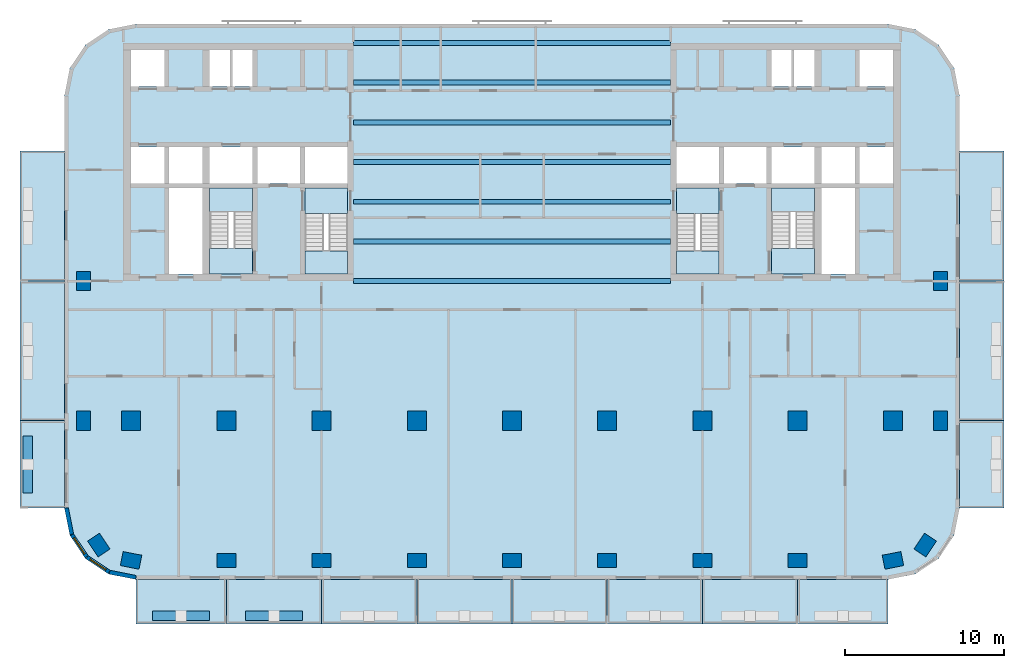
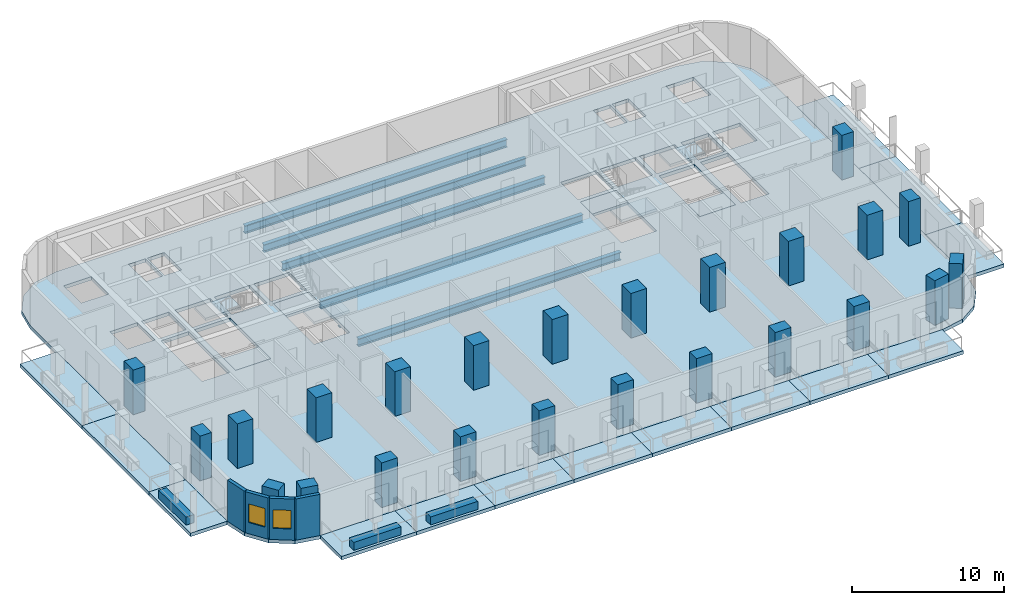
# One storey, part 1 of 11: 24 columns, 23 slabs, 7 beams, 7 walls, 2 windows, 2 openings, 4 elements without a shape of their own.
"""IFC4 building model written with IfcOpenShell, lengths in metres."""

from ifc_helpers import new_model, si_unit, direction, frame, frame_2d, origin, origin_2d, place, context, subcontext, project, spatial, polyline, rectangle, i_section, outline, extrude, material, layer, layer_set, material_profile, profile_set, type_object, element, fill, aggregate, save


model = new_model("IFC4")

# Units and contexts
model_context = context("Model", 3, precision=1e-05, world=origin(), true_north=direction((0.0, 1.0)))
body_context = subcontext(model_context, "Body", "Model", "MODEL_VIEW")
ifc_project = project(units=[si_unit("LENGTHUNIT", "METRE"), si_unit("AREAUNIT", "SQUARE_METRE"), si_unit("VOLUMEUNIT", "CUBIC_METRE"), si_unit("PLANEANGLEUNIT", "RADIAN"), si_unit("MASSUNIT", "GRAM", prefix="KILO")], contexts=[model_context])

# Site, building, storey
site_placement = place(None, origin())
site = spatial("IfcSite", under=ifc_project, at=site_placement, CompositionType="ELEMENT")
building_placement = place(site_placement, origin())
building = spatial("IfcBuilding", under=site, at=building_placement, Name="Torana Hotel and Residences", CompositionType="ELEMENT")
storey_placement = place(building_placement, frame((0.0, 0.0, 152.39990234375)))
storey = spatial("IfcBuildingStorey", under=building, at=storey_placement, Name="L39", CompositionType="ELEMENT", Elevation=152.39990234375)

# Columns
ifc_material_1 = material(Name="Concrete C70/85", Category="concrete")
ifc_material_profile_1 = material_profile(ifc_material_1, rectangle(XDim=1.199951171875, YDim=1.199951171875, at=origin_2d()), Name="RC 1200x1200")
ifc_profile_set_1 = profile_set([ifc_material_profile_1], Name="Concrete C70/85")
column_type_1 = type_object("IfcColumnType", Name="COLUMN RC 1200x1200 C70/85", PredefinedType="COLUMN", material=ifc_profile_set_1)
for number, where, z_axis, x_axis, name in (
    (1, (-24.0, -23.800048828125, 0.0), (0.0, 0.0, 1.0), (1.0, 0.0, 0.0), "Column L39"),
    (2, (-18.0, -23.800048828125, 0.0), (0.0, 0.0, 1.0), (1.0, 0.0, 0.0), "Column L39"),
    (3, (-12.0, -23.800048828125, 0.0), (0.0, 0.0, 1.0), (1.0, 0.0, 0.0), "Column L39"),
    (4, (-6.0, -23.800048828125, 0.0), (0.0, 0.0, 1.0), (1.0, 0.0, 0.0), "Column L39"),
    (5, (0.0, -23.800048828125, 0.0), (0.0, 0.0, 1.0), (1.0, 0.0, 0.0), "Column L39"),
    (6, (6.0, -23.800048828125, 0.0), (0.0, 0.0, 1.0), (1.0, 0.0, 0.0), "Column L39"),
    (7, (12.0, -23.800048828125, 0.0), (0.0, 0.0, 1.0), (1.0, 0.0, 0.0), "Column L39"),
    (8, (18.0, -23.800048828125, 0.0), (0.0, 0.0, 1.0), (1.0, 0.0, 0.0), "Column L39"),
    (9, (24.0, -23.800048828125, 0.0), (0.0, 0.0, 1.0), (1.0, 0.0, 0.0), "Column L39"),
):
    element("IfcColumn", number, at=place(storey_placement, frame(where, z_axis=z_axis, x_axis=x_axis)), inside=storey, type_object=column_type_1, Name=name, PredefinedType="COLUMN", context=body_context, shape_type="SweptSolid", body=[
        extrude(rectangle(XDim=1.199951171875, YDim=1.199951171875, at=origin_2d()), origin(), (0.0, 0.0, 1.0), 3.60009765625),
    ])
ifc_material_2 = material(Name="Concrete C70/85", Category="concrete")
ifc_material_profile_2 = material_profile(ifc_material_2, rectangle(XDim=1.199951171875, YDim=0.89990234375, at=origin_2d()), Name="RC 1200x900")
ifc_profile_set_2 = profile_set([ifc_material_profile_2], Name="Concrete C70/85")
column_type_2 = type_object("IfcColumnType", Name="COLUMN RC 1200x900 C70/85", PredefinedType="COLUMN", material=ifc_profile_set_2)
for number, where, z_axis, x_axis, name in (
    (10, (-27.0, -23.800048828125, 0.0), (0.0, 0.0, 1.0), (0.0, 1.0, 0.0), "Column L39"),
    (11, (-27.0, -15.0, 0.0), (0.0, 0.0, 1.0), (0.0, 1.0, 0.0), "Column L39"),
    (12, (-26.032958984375, -31.633056640625, 0.0), (0.0, 0.0, 1.0), (-0.555584744817, 0.831459915646, 0.0), "Column L39"),
    (13, (-24.0, -32.60009765625, 0.0), (0.0, 0.0, 1.0), (-0.980792089743, 0.195056086032, 0.0), "Column L39"),
    (14, (-18.0, -32.60009765625, 0.0), (0.0, 0.0, 1.0), (1.0, 0.0, 0.0), "Column L39"),
    (15, (-12.0, -32.60009765625, 0.0), (0.0, 0.0, 1.0), (1.0, 0.0, 0.0), "Column L39"),
    (16, (-6.0, -32.60009765625, 0.0), (0.0, 0.0, 1.0), (1.0, 0.0, 0.0), "Column L39"),
    (17, (0.0, -32.60009765625, 0.0), (0.0, 0.0, 1.0), (1.0, 0.0, 0.0), "Column L39"),
    (18, (6.0, -32.60009765625, 0.0), (0.0, 0.0, 1.0), (1.0, 0.0, 0.0), "Column L39"),
    (19, (12.0, -32.60009765625, 0.0), (0.0, 0.0, 1.0), (1.0, 0.0, 0.0), "Column L39"),
    (20, (18.0, -32.60009765625, 0.0), (0.0, 0.0, 1.0), (1.0, 0.0, 0.0), "Column L39"),
    (21, (24.0, -32.60009765625, 0.0), (0.0, 0.0, 1.0), (0.980792089743, 0.195056086032, 0.0), "Column L39"),
    (22, (26.032958984375, -31.633056640625, 0.0), (0.0, 0.0, 1.0), (0.555584744817, 0.831459915646, 0.0), "Column L39"),
    (23, (27.0, -23.800048828125, 0.0), (0.0, 0.0, 1.0), (0.0, 1.0, 0.0), "Column L39"),
    (24, (27.0, -15.0, 0.0), (0.0, 0.0, 1.0), (0.0, 1.0, 0.0), "Column L39"),
):
    element("IfcColumn", number, at=place(storey_placement, frame(where, z_axis=z_axis, x_axis=x_axis)), inside=storey, type_object=column_type_2, Name=name, PredefinedType="COLUMN", context=body_context, shape_type="SweptSolid", body=[
        extrude(rectangle(XDim=1.199951171875, YDim=0.89990234375, at=origin_2d()), origin(), (0.0, 0.0, 1.0), 3.60009765625),
    ])

# Beams
ifc_material_3 = material(Name="Steel S355", Category="steel")
ifc_material_profile_3 = material_profile(ifc_material_3, i_section(OverallWidth=0.311279296875, OverallDepth=0.6357421875, WebThickness=0.018310546875, FlangeThickness=0.031494140625, FilletRadius=0.0166015625, at=origin_2d()), Name="610x305x238 UB")
ifc_profile_set_3 = profile_set([ifc_material_profile_3], Name="Steel S355")
beam_type = type_object("IfcBeamType", Name="STEEL GIRDER 610x305x238 UB", PredefinedType="BEAM", material=ifc_profile_set_3)
for number, where, z_axis, x_axis, name in (
    (25, (-10.0, -15.0, -0.597900390625), (1.0, 0.0, 0.0), (0.0, 1.0, 0.0), "Floor girder"),
    (26, (-10.0, -12.5, -0.597900390625), (1.0, 0.0, 0.0), (0.0, 1.0, 0.0), "Floor girder"),
    (27, (-10.0, -10.0, -0.597900390625), (1.0, 0.0, 0.0), (0.0, 1.0, 0.0), "Floor girder"),
    (28, (-10.0, -7.5, -0.597900390625), (1.0, 0.0, 0.0), (0.0, 1.0, 0.0), "Floor girder"),
    (29, (-10.0, -5.0, -0.597900390625), (1.0, 0.0, 0.0), (0.0, 1.0, 0.0), "Floor girder"),
    (30, (-10.0, -2.5, -0.597900390625), (1.0, 0.0, 0.0), (0.0, 1.0, 0.0), "Floor girder"),
    (31, (-10.0, 0.0, -0.597900390625), (1.0, 0.0, 0.0), (0.0, 1.0, 0.0), "Floor girder"),
):
    element("IfcBeam", number, at=place(storey_placement, frame(where, z_axis=z_axis, x_axis=x_axis)), inside=storey, type_object=beam_type, Name=name, PredefinedType="BEAM", context=body_context, shape_type="SweptSolid", body=[
        extrude(i_section(OverallWidth=0.311279296875, OverallDepth=0.6357421875, WebThickness=0.018310546875, FlangeThickness=0.031494140625, FilletRadius=0.0166015625, at=origin_2d()), origin(), (0.0, 0.0, 1.0), 20.0),
    ])

# Slabs
ifc_material_4 = material(Name="Concrete C40/50", Category="concrete")
ifc_layer_1 = layer(ifc_material_4, 0.280029296875)
ifc_layer_set_1 = layer_set([ifc_layer_1], Name="BAL1 BALCONY SLAB 280")
slab_type_1 = type_object("IfcSlabType", Name="BAL1 BALCONY SLAB 280", PredefinedType="USERDEFINED", material=ifc_layer_set_1)
slab_1_placement = place(storey_placement, frame((0.0, 0.0, -0.27978515625)))
element("IfcSlab", 32, at=slab_1_placement, inside=storey, type_object=slab_type_1, Name="Balcony 01", ObjectType="BALCONY", PredefinedType="USERDEFINED", context=body_context, shape_type="SweptSolid", body=[
    extrude(outline(polyline([(-23.699951171875, -36.60009765625), (-18.0, -36.60009765625), (-18.0, -33.800048828125), (-23.699951171875, -33.800048828125), (-23.699951171875, -36.60009765625)])), origin(), (0.0, 0.0, 1.0), 0.27978515625),
])
slab_2_placement = place(storey_placement, frame((0.0, 0.0, -0.27978515625)))
element("IfcSlab", 33, at=slab_2_placement, inside=storey, type_object=slab_type_1, Name="Balcony 02", ObjectType="BALCONY", PredefinedType="USERDEFINED", context=body_context, shape_type="SweptSolid", body=[
    extrude(outline(polyline([(-18.0, -36.60009765625), (-12.0, -36.60009765625), (-12.0, -33.800048828125), (-18.0, -33.800048828125), (-18.0, -36.60009765625)])), origin(), (0.0, 0.0, 1.0), 0.27978515625),
])
slab_3_placement = place(storey_placement, frame((0.0, 0.0, -0.27978515625)))
element("IfcSlab", 34, at=slab_3_placement, inside=storey, type_object=slab_type_1, Name="Balcony 03", ObjectType="BALCONY", PredefinedType="USERDEFINED", context=body_context, shape_type="SweptSolid", body=[
    extrude(outline(polyline([(-12.0, -36.60009765625), (-6.0, -36.60009765625), (-6.0, -33.800048828125), (-12.0, -33.800048828125), (-12.0, -36.60009765625)])), origin(), (0.0, 0.0, 1.0), 0.27978515625),
])
slab_4_placement = place(storey_placement, frame((0.0, 0.0, -0.27978515625)))
element("IfcSlab", 35, at=slab_4_placement, inside=storey, type_object=slab_type_1, Name="Balcony 04", ObjectType="BALCONY", PredefinedType="USERDEFINED", context=body_context, shape_type="SweptSolid", body=[
    extrude(outline(polyline([(-6.0, -36.60009765625), (0.0, -36.60009765625), (0.0, -33.800048828125), (-6.0, -33.800048828125), (-6.0, -36.60009765625)])), origin(), (0.0, 0.0, 1.0), 0.27978515625),
])
slab_5_placement = place(storey_placement, frame((0.0, 0.0, -0.27978515625)))
element("IfcSlab", 36, at=slab_5_placement, inside=storey, type_object=slab_type_1, Name="Balcony 05", ObjectType="BALCONY", PredefinedType="USERDEFINED", context=body_context, shape_type="SweptSolid", body=[
    extrude(outline(polyline([(0.0, -36.60009765625), (6.0, -36.60009765625), (6.0, -33.800048828125), (0.0, -33.800048828125), (0.0, -36.60009765625)])), origin(), (0.0, 0.0, 1.0), 0.27978515625),
])
slab_6_placement = place(storey_placement, frame((0.0, 0.0, -0.27978515625)))
element("IfcSlab", 37, at=slab_6_placement, inside=storey, type_object=slab_type_1, Name="Balcony 06", ObjectType="BALCONY", PredefinedType="USERDEFINED", context=body_context, shape_type="SweptSolid", body=[
    extrude(outline(polyline([(6.0, -36.60009765625), (12.0, -36.60009765625), (12.0, -33.800048828125), (6.0, -33.800048828125), (6.0, -36.60009765625)])), origin(), (0.0, 0.0, 1.0), 0.27978515625),
])
slab_7_placement = place(storey_placement, frame((0.0, 0.0, -0.27978515625)))
element("IfcSlab", 38, at=slab_7_placement, inside=storey, type_object=slab_type_1, Name="Balcony 07", ObjectType="BALCONY", PredefinedType="USERDEFINED", context=body_context, shape_type="SweptSolid", body=[
    extrude(outline(polyline([(12.0, -36.60009765625), (18.0, -36.60009765625), (18.0, -33.800048828125), (12.0, -33.800048828125), (12.0, -36.60009765625)])), origin(), (0.0, 0.0, 1.0), 0.27978515625),
])
slab_8_placement = place(storey_placement, frame((0.0, 0.0, -0.27978515625)))
element("IfcSlab", 39, at=slab_8_placement, inside=storey, type_object=slab_type_1, Name="Balcony 08", ObjectType="BALCONY", PredefinedType="USERDEFINED", context=body_context, shape_type="SweptSolid", body=[
    extrude(outline(polyline([(18.0, -36.60009765625), (23.699951171875, -36.60009765625), (23.699951171875, -33.800048828125), (18.0, -33.800048828125), (18.0, -36.60009765625)])), origin(), (0.0, 0.0, 1.0), 0.27978515625),
])
slab_9_placement = place(storey_placement, frame((0.0, 0.0, -0.27978515625)))
element("IfcSlab", 40, at=slab_9_placement, inside=storey, type_object=slab_type_1, Name="Balcony 09", ObjectType="BALCONY", PredefinedType="USERDEFINED", context=body_context, shape_type="SweptSolid", body=[
    extrude(outline(polyline([(-31.0, -29.300048828125), (-28.199951171875, -29.300048828125), (-28.199951171875, -23.800048828125), (-31.0, -23.800048828125), (-31.0, -29.300048828125)])), origin(), (0.0, 0.0, 1.0), 0.27978515625),
])
slab_10_placement = place(storey_placement, frame((0.0, 0.0, -0.27978515625)))
element("IfcSlab", 41, at=slab_10_placement, inside=storey, type_object=slab_type_1, Name="Balcony 10", ObjectType="BALCONY", PredefinedType="USERDEFINED", context=body_context, shape_type="SweptSolid", body=[
    extrude(outline(polyline([(-31.0, -23.800048828125), (-28.199951171875, -23.800048828125), (-28.199951171875, -15.0), (-31.0, -15.0), (-31.0, -23.800048828125)])), origin(), (0.0, 0.0, 1.0), 0.27978515625),
])
slab_11_placement = place(storey_placement, frame((0.0, 0.0, -0.27978515625)))
element("IfcSlab", 42, at=slab_11_placement, inside=storey, type_object=slab_type_1, Name="Balcony 11", ObjectType="BALCONY", PredefinedType="USERDEFINED", context=body_context, shape_type="SweptSolid", body=[
    extrude(outline(polyline([(-31.0, -15.0), (-28.199951171875, -15.0), (-28.199951171875, -6.800048828125), (-31.0, -6.800048828125), (-31.0, -15.0)])), origin(), (0.0, 0.0, 1.0), 0.27978515625),
])
slab_12_placement = place(storey_placement, frame((0.0, 0.0, -0.27978515625)))
element("IfcSlab", 43, at=slab_12_placement, inside=storey, type_object=slab_type_1, Name="Balcony 12", ObjectType="BALCONY", PredefinedType="USERDEFINED", context=body_context, shape_type="SweptSolid", body=[
    extrude(outline(polyline([(28.199951171875, -29.300048828125), (31.0, -29.300048828125), (31.0, -23.800048828125), (28.199951171875, -23.800048828125), (28.199951171875, -29.300048828125)])), origin(), (0.0, 0.0, 1.0), 0.27978515625),
])
slab_13_placement = place(storey_placement, frame((0.0, 0.0, -0.27978515625)))
element("IfcSlab", 44, at=slab_13_placement, inside=storey, type_object=slab_type_1, Name="Balcony 13", ObjectType="BALCONY", PredefinedType="USERDEFINED", context=body_context, shape_type="SweptSolid", body=[
    extrude(outline(polyline([(28.199951171875, -23.800048828125), (31.0, -23.800048828125), (31.0, -15.0), (28.199951171875, -15.0), (28.199951171875, -23.800048828125)])), origin(), (0.0, 0.0, 1.0), 0.27978515625),
])
slab_14_placement = place(storey_placement, frame((0.0, 0.0, -0.27978515625)))
element("IfcSlab", 45, at=slab_14_placement, inside=storey, type_object=slab_type_1, Name="Balcony 14", ObjectType="BALCONY", PredefinedType="USERDEFINED", context=body_context, shape_type="SweptSolid", body=[
    extrude(outline(polyline([(28.199951171875, -15.0), (31.0, -15.0), (31.0, -6.800048828125), (28.199951171875, -6.800048828125), (28.199951171875, -15.0)])), origin(), (0.0, 0.0, 1.0), 0.27978515625),
])
ifc_material_5 = material(Name="Concrete C40/50", Category="concrete")
ifc_layer_2 = layer(ifc_material_5, 0.280029296875)
ifc_layer_set_2 = layer_set([ifc_layer_2], Name="FLOOR SLAB PT 280")
slab_type_2 = type_object("IfcSlabType", Name="FLOOR SLAB PT 280", PredefinedType="FLOOR", material=ifc_layer_set_2)
slab_15_placement = place(storey_placement, frame((0.0, 0.0, -0.27978515625)))
element("IfcSlab", 46, at=slab_15_placement, inside=storey, type_object=slab_type_2, Name="Floor slab", PredefinedType="FLOOR", context=body_context, shape_type="SweptSolid", body=[
    extrude(outline(polyline([(28.199951171875, -3.300048828125), (27.857421875, -1.577880859375), (26.882080078125, -0.117919921875), (25.422119140625, 0.857421875), (23.699951171875, 1.199951171875), (-23.699951171875, 1.199951171875), (-25.422119140625, 0.857421875), (-26.882080078125, -0.117919921875), (-27.857421875, -1.577880859375), (-28.199951171875, -3.300048828125), (-28.199951171875, -29.300048828125), (-27.857421875, -31.022216796875), (-26.882080078125, -32.48193359375), (-25.422119140625, -33.45751953125), (-23.699951171875, -33.800048828125), (23.699951171875, -33.800048828125), (25.422119140625, -33.45751953125), (26.882080078125, -32.48193359375), (27.857421875, -31.022216796875), (28.199951171875, -29.300048828125), (28.199951171875, -3.300048828125)]), holes=[polyline([(-13.050048828125, -14.550048828125), (-10.35009765625, -14.550048828125), (-10.35009765625, -9.14990234375), (-13.050048828125, -9.14990234375), (-13.050048828125, -14.550048828125)]), polyline([(-19.050048828125, -14.550048828125), (-16.35009765625, -14.550048828125), (-16.35009765625, -9.14990234375), (-19.050048828125, -9.14990234375), (-19.050048828125, -14.550048828125)]), polyline([(-17.625, -2.75), (-16.35009765625, -2.75), (-16.35009765625, -0.449951171875), (-17.625, -0.449951171875), (-17.625, -2.75)]), polyline([(-19.050048828125, -2.75), (-17.77490234375, -2.75), (-17.77490234375, -0.449951171875), (-19.050048828125, -0.449951171875), (-19.050048828125, -2.75)]), polyline([(-21.60009765625, -8.85009765625), (-19.5, -8.85009765625), (-19.5, -6.550048828125), (-21.60009765625, -6.550048828125), (-21.60009765625, -8.85009765625)]), polyline([(-24.0, -2.75), (-21.89990234375, -2.75), (-21.89990234375, -0.449951171875), (-24.0, -0.449951171875), (-24.0, -2.75)]), polyline([(-24.0, -8.85009765625), (-21.89990234375, -8.85009765625), (-21.89990234375, -6.550048828125), (-24.0, -6.550048828125), (-24.0, -8.85009765625)]), polyline([(-13.050048828125, -8.85009765625), (-10.35009765625, -8.85009765625), (-10.35009765625, -6.550048828125), (-13.050048828125, -6.550048828125), (-13.050048828125, -8.85009765625)]), polyline([(-16.050048828125, -8.85009765625), (-13.35009765625, -8.85009765625), (-13.35009765625, -6.550048828125), (-16.050048828125, -6.550048828125), (-16.050048828125, -8.85009765625)]), polyline([(-19.050048828125, -8.85009765625), (-16.35009765625, -8.85009765625), (-16.35009765625, -6.550048828125), (-19.050048828125, -6.550048828125), (-19.050048828125, -8.85009765625)]), polyline([(-21.60009765625, -14.550048828125), (-19.5, -14.550048828125), (-19.5, -9.14990234375), (-21.60009765625, -9.14990234375), (-21.60009765625, -14.550048828125)]), polyline([(10.35009765625, -14.550048828125), (13.050048828125, -14.550048828125), (13.050048828125, -9.14990234375), (10.35009765625, -9.14990234375), (10.35009765625, -14.550048828125)]), polyline([(16.35009765625, -14.550048828125), (19.050048828125, -14.550048828125), (19.050048828125, -9.14990234375), (16.35009765625, -9.14990234375), (16.35009765625, -14.550048828125)]), polyline([(16.35009765625, -2.75), (17.625, -2.75), (17.625, -0.449951171875), (16.35009765625, -0.449951171875), (16.35009765625, -2.75)]), polyline([(17.77490234375, -2.75), (19.050048828125, -2.75), (19.050048828125, -0.449951171875), (17.77490234375, -0.449951171875), (17.77490234375, -2.75)]), polyline([(19.5, -8.85009765625), (21.60009765625, -8.85009765625), (21.60009765625, -6.550048828125), (19.5, -6.550048828125), (19.5, -8.85009765625)]), polyline([(21.89990234375, -2.75), (24.0, -2.75), (24.0, -0.449951171875), (21.89990234375, -0.449951171875), (21.89990234375, -2.75)]), polyline([(21.89990234375, -8.85009765625), (24.0, -8.85009765625), (24.0, -6.550048828125), (21.89990234375, -6.550048828125), (21.89990234375, -8.85009765625)]), polyline([(10.35009765625, -8.85009765625), (13.050048828125, -8.85009765625), (13.050048828125, -6.550048828125), (10.35009765625, -6.550048828125), (10.35009765625, -8.85009765625)]), polyline([(13.35009765625, -8.85009765625), (16.050048828125, -8.85009765625), (16.050048828125, -6.550048828125), (13.35009765625, -6.550048828125), (13.35009765625, -8.85009765625)]), polyline([(16.35009765625, -8.85009765625), (19.050048828125, -8.85009765625), (19.050048828125, -6.550048828125), (16.35009765625, -6.550048828125), (16.35009765625, -8.85009765625)]), polyline([(19.5, -14.550048828125), (21.60009765625, -14.550048828125), (21.60009765625, -9.14990234375), (19.5, -9.14990234375), (19.5, -14.550048828125)])]), origin(), (0.0, 0.0, 1.0), 0.27978515625),
])

# Stair, slabs
ifc_material_6 = material(Name="Concrete C40/50 precast", Category="concrete")
stair_type_1 = type_object("IfcStairType", Name="STAIR ST1 HALF TURN 1200", PredefinedType="HALF_TURN_STAIR", material=ifc_material_6)
stair_1_placement = place(storey_placement, origin())
stair_1 = element("IfcStair", 47, at=stair_1_placement, inside=storey, type_object=stair_type_1, Name="Stair ST1 L39", PredefinedType="HALF_TURN_STAIR")
ifc_material_7 = material(Name="Concrete C40/50 precast", Category="concrete")
ifc_layer_3 = layer(ifc_material_7, 0.199951171875)
ifc_layer_set_3 = layer_set([ifc_layer_3], Name="STAIR LANDING 200")
slab_type_3 = type_object("IfcSlabType", Name="STAIR LANDING 200", PredefinedType="LANDING", material=ifc_layer_set_3)
slab_16_placement = place(storey_placement, frame((0.0, 0.0, 1.60009765625)))
slab_16 = element("IfcSlab", 48, at=slab_16_placement, type_object=slab_type_3, Name="ST1 landing 1", PredefinedType="LANDING", context=body_context, shape_type="SweptSolid", body=[
    extrude(outline(polyline([(-13.050048828125, -14.550048828125), (-10.35009765625, -14.550048828125), (-10.35009765625, -13.090087890625), (-13.050048828125, -13.090087890625), (-13.050048828125, -14.550048828125)])), origin(), (0.0, 0.0, 1.0), 0.199951171875),
])
slab_17_placement = place(storey_placement, frame((0.0, 0.0, -0.199951171875)))
slab_17 = element("IfcSlab", 49, at=slab_17_placement, type_object=slab_type_3, Name="ST1 landing 2", PredefinedType="LANDING", context=body_context, shape_type="SweptSolid", body=[
    extrude(outline(polyline([(-13.050048828125, -10.75), (-10.35009765625, -10.75), (-10.35009765625, -9.14990234375), (-13.050048828125, -9.14990234375), (-13.050048828125, -10.75)])), origin(), (0.0, 0.0, 1.0), 0.199951171875),
])
aggregate(stair_1, [slab_16, slab_17])

ifc_material_8 = material(Name="Concrete C40/50 precast", Category="concrete")
stair_type_2 = type_object("IfcStairType", Name="STAIR ST2 HALF TURN 1200", PredefinedType="HALF_TURN_STAIR", material=ifc_material_8)
stair_2_placement = place(storey_placement, origin())
stair_2 = element("IfcStair", 50, at=stair_2_placement, inside=storey, type_object=stair_type_2, Name="Stair ST2 L39", PredefinedType="HALF_TURN_STAIR")
slab_18_placement = place(storey_placement, frame((0.0, 0.0, 1.60009765625)))
slab_18 = element("IfcSlab", 51, at=slab_18_placement, type_object=slab_type_3, Name="ST2 landing 1", PredefinedType="LANDING", context=body_context, shape_type="SweptSolid", body=[
    extrude(outline(polyline([(-19.050048828125, -10.610107421875), (-16.35009765625, -10.610107421875), (-16.35009765625, -9.14990234375), (-19.050048828125, -9.14990234375), (-19.050048828125, -10.610107421875)])), origin(), (0.0, 0.0, 1.0), 0.199951171875),
])
slab_19_placement = place(storey_placement, frame((0.0, 0.0, -0.199951171875)))
slab_19 = element("IfcSlab", 52, at=slab_19_placement, type_object=slab_type_3, Name="ST2 landing 2", PredefinedType="LANDING", context=body_context, shape_type="SweptSolid", body=[
    extrude(outline(polyline([(-19.050048828125, -14.550048828125), (-16.35009765625, -14.550048828125), (-16.35009765625, -12.949951171875), (-19.050048828125, -12.949951171875), (-19.050048828125, -14.550048828125)])), origin(), (0.0, 0.0, 1.0), 0.199951171875),
])
aggregate(stair_2, [slab_18, slab_19])

ifc_material_9 = material(Name="Concrete C40/50 precast", Category="concrete")
stair_type_3 = type_object("IfcStairType", Name="STAIR ST3 HALF TURN 1200", PredefinedType="HALF_TURN_STAIR", material=ifc_material_9)
stair_3_placement = place(storey_placement, origin())
stair_3 = element("IfcStair", 53, at=stair_3_placement, inside=storey, type_object=stair_type_3, Name="Stair ST3 L39", PredefinedType="HALF_TURN_STAIR")
slab_20_placement = place(storey_placement, frame((0.0, 0.0, 1.60009765625)))
slab_20 = element("IfcSlab", 54, at=slab_20_placement, type_object=slab_type_3, Name="ST3 landing 1", PredefinedType="LANDING", context=body_context, shape_type="SweptSolid", body=[
    extrude(outline(polyline([(10.35009765625, -14.550048828125), (13.050048828125, -14.550048828125), (13.050048828125, -13.090087890625), (10.35009765625, -13.090087890625), (10.35009765625, -14.550048828125)])), origin(), (0.0, 0.0, 1.0), 0.199951171875),
])
slab_21_placement = place(storey_placement, frame((0.0, 0.0, -0.199951171875)))
slab_21 = element("IfcSlab", 55, at=slab_21_placement, type_object=slab_type_3, Name="ST3 landing 2", PredefinedType="LANDING", context=body_context, shape_type="SweptSolid", body=[
    extrude(outline(polyline([(10.35009765625, -10.75), (13.050048828125, -10.75), (13.050048828125, -9.14990234375), (10.35009765625, -9.14990234375), (10.35009765625, -10.75)])), origin(), (0.0, 0.0, 1.0), 0.199951171875),
])
aggregate(stair_3, [slab_20, slab_21])

ifc_material_10 = material(Name="Concrete C40/50 precast", Category="concrete")
stair_type_4 = type_object("IfcStairType", Name="STAIR ST4 HALF TURN 1200", PredefinedType="HALF_TURN_STAIR", material=ifc_material_10)
stair_4_placement = place(storey_placement, origin())
stair_4 = element("IfcStair", 56, at=stair_4_placement, inside=storey, type_object=stair_type_4, Name="Stair ST4 L39", PredefinedType="HALF_TURN_STAIR")
slab_22_placement = place(storey_placement, frame((0.0, 0.0, 1.60009765625)))
slab_22 = element("IfcSlab", 57, at=slab_22_placement, type_object=slab_type_3, Name="ST4 landing 1", PredefinedType="LANDING", context=body_context, shape_type="SweptSolid", body=[
    extrude(outline(polyline([(16.35009765625, -10.610107421875), (19.050048828125, -10.610107421875), (19.050048828125, -9.14990234375), (16.35009765625, -9.14990234375), (16.35009765625, -10.610107421875)])), origin(), (0.0, 0.0, 1.0), 0.199951171875),
])
slab_23_placement = place(storey_placement, frame((0.0, 0.0, -0.199951171875)))
slab_23 = element("IfcSlab", 58, at=slab_23_placement, type_object=slab_type_3, Name="ST4 landing 2", PredefinedType="LANDING", context=body_context, shape_type="SweptSolid", body=[
    extrude(outline(polyline([(16.35009765625, -14.550048828125), (19.050048828125, -14.550048828125), (19.050048828125, -12.949951171875), (16.35009765625, -12.949951171875), (16.35009765625, -14.550048828125)])), origin(), (0.0, 0.0, 1.0), 0.199951171875),
])
aggregate(stair_4, [slab_22, slab_23])

# Wall
ifc_material_11 = material(Name="Black aluminium composite panel", Category="aluminium")
ifc_layer_4 = layer(ifc_material_11, 0.00390625, Name="Cladding", Category="cladding")
ifc_material_12 = material(Name="Ventilated air cavity")
ifc_layer_5 = layer(ifc_material_12, 0.0400390625, Name="Ventilated cavity", Category="cavity")
ifc_material_13 = material(Name="Mineral wool insulation")
ifc_layer_6 = layer(ifc_material_13, 0.090087890625, Name="Insulation", Category="insulation")
ifc_material_14 = material(Name="Steel S280GD", Category="steel")
ifc_layer_7 = layer(ifc_material_14, 0.092041015625, Name="Steel stud frame", Category="structure")
ifc_material_15 = material(Name="Fire rated plasterboard")
ifc_layer_8 = layer(ifc_material_15, 0.011962890625, Name="Inner board", Category="finish")
ifc_layer_9 = layer(ifc_material_15, 0.011962890625, Name="Second board", Category="finish")
ifc_layer_set_4 = layer_set([ifc_layer_4, ifc_layer_5, ifc_layer_6, ifc_layer_7, ifc_layer_8, ifc_layer_9], Name="EW1 EXTERNAL WALL BLACK METAL CLAD 250")
wall_type_1 = type_object("IfcWallType", Name="EW1 EXTERNAL WALL BLACK METAL CLAD 250", PredefinedType="SOLIDWALL", material=ifc_layer_set_4)
wall_1_placement = place(storey_placement, frame((-28.072509765625, -29.2998046875, 0.0), z_axis=(0.0, 0.0, 1.0), x_axis=(0.194999110559, -0.980803419081, 0.0)))
element("IfcWall", 59, at=wall_1_placement, inside=storey, type_object=wall_type_1, Name="External wall L39 e0.10", PredefinedType="SOLIDWALL", context=body_context, shape_type="SweptSolid", body=[
    extrude(rectangle(XDim=1.681396484375, YDim=0.25, at=frame_2d((0.8408203125, 0.0))), origin(), (0.0, 0.0, 1.0), 3.320068359375),
])

# Wall, opening, window
wall_2_placement = place(storey_placement, frame((-27.725830078125, -30.993896484375, 0.0), z_axis=(0.0, 0.0, 1.0), x_axis=(0.55555029066, -0.831482937015, 0.0)))
wall_2 = element("IfcWall", 60, at=wall_2_placement, inside=storey, type_object=wall_type_1, Name="External wall L39 e0.11", PredefinedType="SOLIDWALL", context=body_context, shape_type="SweptSolid", body=[
    extrude(rectangle(XDim=1.65625, YDim=0.25, at=frame_2d((0.828125, 0.0))), origin(), (0.0, 0.0, 1.0), 3.320068359375),
])
opening_1_placement = place(wall_2_placement, frame((0.228271484375, 0.0, 0.89990234375)))
opening_1 = element("IfcOpeningElement", 61, at=opening_1_placement, cuts=wall_2, Name="Opening W5", PredefinedType="OPENING", context=body_context, shape_type="SweptSolid", body=[
    extrude(rectangle(XDim=1.199951171875, YDim=1.5, at=frame_2d((0.60009765625, 0.75))), frame((0.0, 0.135009765625, 0.0), z_axis=(0.0, -1.0, 0.0), x_axis=(1.0, 0.0, 0.0)), (0.0, 0.0, 1.0), 0.27001953125),
])
ifc_material_16 = material(Name="Dark glass in black aluminium frame", Category="aluminium")
window_type = type_object("IfcWindowType", Name="W5 CORNER FACET WINDOW 1200x1500", PartitioningType="SINGLE_PANEL", PredefinedType="WINDOW", material=ifc_material_16)
window_1_placement = place(opening_1_placement, origin())
window_1 = element("IfcWindow", 62, at=window_1_placement, inside=storey, type_object=window_type, Name="Window L39 e0.11", OverallHeight=1.5, OverallWidth=1.199951171875, PartitioningType="SINGLE_PANEL", PredefinedType="WINDOW", context=body_context, shape_type="SweptSolid", body=[
    extrude(rectangle(XDim=1.199951171875, YDim=1.5, at=frame_2d((0.60009765625, 0.75))), frame((0.0, 0.030029296875, 0.0), z_axis=(0.0, -1.0, 0.0), x_axis=(1.0, 0.0, 0.0)), (0.0, 0.0, 1.0), 0.06005859375),
])
fill(opening_1, window_1)

wall_3_placement = place(storey_placement, frame((-26.771240234375, -32.40576171875, 0.0), z_axis=(0.0, 0.0, 1.0), x_axis=(0.831482937015, -0.55555029066, 0.0)))
wall_3 = element("IfcWall", 63, at=wall_3_placement, inside=storey, type_object=wall_type_1, Name="External wall L39 e0.12", PredefinedType="SOLIDWALL", context=body_context, shape_type="SweptSolid", body=[
    extrude(rectangle(XDim=1.65625, YDim=0.25, at=frame_2d((0.828125, 0.0))), origin(), (0.0, 0.0, 1.0), 3.320068359375),
])
opening_2_placement = place(wall_3_placement, frame((0.228271484375, 0.0, 0.89990234375)))
opening_2 = element("IfcOpeningElement", 64, at=opening_2_placement, cuts=wall_3, Name="Opening W5", PredefinedType="OPENING", context=body_context, shape_type="SweptSolid", body=[
    extrude(rectangle(XDim=1.199951171875, YDim=1.5, at=frame_2d((0.60009765625, 0.75))), frame((0.0, 0.135009765625, 0.0), z_axis=(0.0, -1.0, 0.0), x_axis=(1.0, 0.0, 0.0)), (0.0, 0.0, 1.0), 0.27001953125),
])
window_2_placement = place(opening_2_placement, origin())
window_2 = element("IfcWindow", 65, at=window_2_placement, inside=storey, type_object=window_type, Name="Window L39 e0.12", OverallHeight=1.5, OverallWidth=1.199951171875, PartitioningType="SINGLE_PANEL", PredefinedType="WINDOW", context=body_context, shape_type="SweptSolid", body=[
    extrude(rectangle(XDim=1.199951171875, YDim=1.5, at=frame_2d((0.60009765625, 0.75))), frame((0.0, 0.030029296875, 0.0), z_axis=(0.0, -1.0, 0.0), x_axis=(1.0, 0.0, 0.0)), (0.0, 0.0, 1.0), 0.06005859375),
])
fill(opening_2, window_2)

# Walls
wall_4_placement = place(storey_placement, frame((-25.348876953125, -33.344482421875, 0.0), z_axis=(0.0, 0.0, 1.0), x_axis=(0.980775640221, -0.19513878023, 0.0)))
element("IfcWall", 66, at=wall_4_placement, inside=storey, type_object=wall_type_1, Name="External wall L39 e0.13", PredefinedType="SOLIDWALL", context=body_context, shape_type="SweptSolid", body=[
    extrude(rectangle(XDim=1.681396484375, YDim=0.25, at=frame_2d((0.8408203125, 0.0))), origin(), (0.0, 0.0, 1.0), 3.320068359375),
])
ifc_material_17 = material(Name="Concrete C40/50 precast", Category="concrete")
ifc_layer_10 = layer(ifc_material_17, 0.10009765625, Name="Planter shell", Category="structure")
ifc_material_18 = material(Name="Root resistant membrane")
ifc_layer_11 = layer(ifc_material_18, 0.00390625, Name="Waterproofing membrane", Category="membrane")
ifc_material_19 = material(Name="Drainage board with filter fleece")
ifc_layer_12 = layer(ifc_material_19, 0.02001953125, Name="Drainage board", Category="drainage")
ifc_material_20 = material(Name="Growing medium")
ifc_layer_13 = layer(ifc_material_20, 0.47607421875, Name="Planting substrate", Category="soil")
ifc_layer_set_5 = layer_set([ifc_layer_10, ifc_layer_11, ifc_layer_12, ifc_layer_13], Name="PL1 BALCONY PLANTER 600")
wall_type_2 = type_object("IfcWallType", Name="PL1 BALCONY PLANTER 600", PredefinedType="USERDEFINED", material=ifc_layer_set_5)
wall_5_placement = place(storey_placement, frame((-19.050048828125, -36.10009765625, 0.0), z_axis=(0.0, 0.0, 1.0), x_axis=(-1.0, 0.0, 0.0)))
element("IfcWall", 67, at=wall_5_placement, inside=storey, type_object=wall_type_2, Name="Planter 01", ObjectType="PLANTER", PredefinedType="USERDEFINED", context=body_context, shape_type="SweptSolid", body=[
    extrude(rectangle(XDim=3.599853515625, YDim=0.60009765625, at=frame_2d((1.7998046875, 0.0))), origin(), (0.0, 0.0, 1.0), 0.650146484375),
])
for number, where, z_axis, x_axis, name in (
    (68, (-13.199951171875, -36.10009765625, 0.0), (0.0, 0.0, 1.0), (-1.0, 0.0, 0.0), "Planter 02"),
    (69, (-30.5, -28.35009765625, 0.0), (0.0, 0.0, 1.0), (0.0, 1.0, 0.0), "Planter 09"),
):
    element("IfcWall", number, at=place(storey_placement, frame(where, z_axis=z_axis, x_axis=x_axis)), inside=storey, type_object=wall_type_2, Name=name, ObjectType="PLANTER", PredefinedType="USERDEFINED", context=body_context, shape_type="SweptSolid", body=[
        extrude(rectangle(XDim=3.60009765625, YDim=0.60009765625, at=frame_2d((1.800048828125, 0.0))), origin(), (0.0, 0.0, 1.0), 0.650146484375),
    ])

save(model, "model.ifc")
